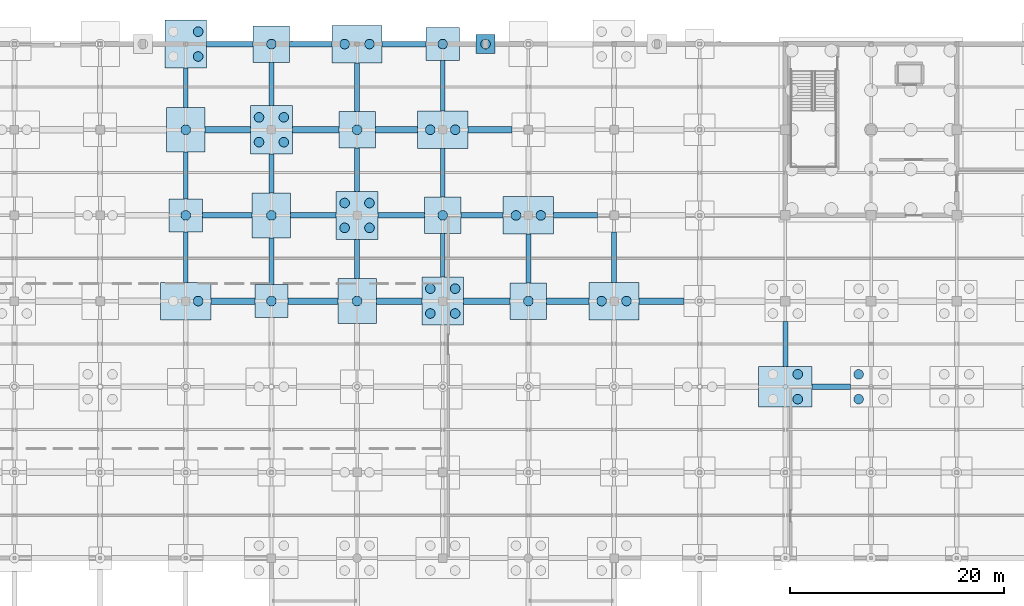
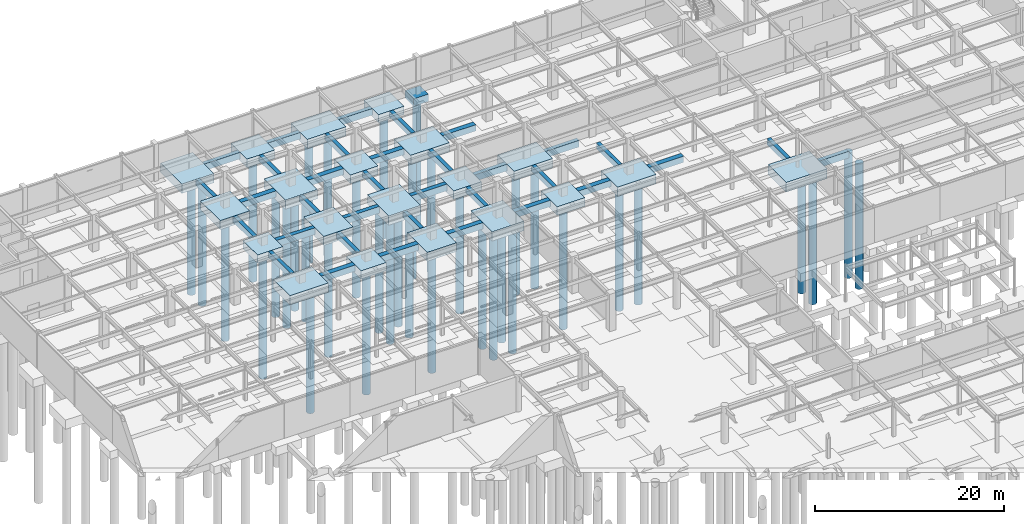
# One storey, part 8 of 105: 55 footings, 38 piles.
"""IFC4 building model written with IfcOpenShell, lengths in metres."""

from ifc_helpers import new_model, si_unit, direction, frame, origin, origin_2d, place, context, subcontext, project, spatial, rectangle, circle, extrude, material, material_profile, profile_set, type_object, element, save


model = new_model("IFC4")

# Units and contexts
model_context = context("Model", 3, precision=1e-05, world=origin(), true_north=direction((0.0, 1.0)))
body_context = subcontext(model_context, "Body", "Model", "MODEL_VIEW")
ifc_project = project(units=[si_unit("LENGTHUNIT", "METRE"), si_unit("AREAUNIT", "SQUARE_METRE"), si_unit("VOLUMEUNIT", "CUBIC_METRE"), si_unit("PLANEANGLEUNIT", "RADIAN"), si_unit("MASSUNIT", "GRAM", prefix="KILO")], contexts=[model_context])

# Site, building, storey
site_placement = place(None, origin())
site = spatial("IfcSite", under=ifc_project, at=site_placement, CompositionType="ELEMENT")
building_placement = place(site_placement, origin())
building = spatial("IfcBuilding", under=site, at=building_placement, Name="Solmirada Galleria", CompositionType="ELEMENT")
storey_placement = place(building_placement, frame((0.0, 0.0, -4.800048828125)))
storey = spatial("IfcBuildingStorey", under=building, at=storey_placement, Name="B1", CompositionType="ELEMENT", Elevation=-4.800048828125)

# Footings
ifc_material_1 = material(Name="Concrete C35/45", Category="concrete")
footing_type_1 = type_object("IfcFootingType", Name="PC-04", PredefinedType="PILE_CAP", material=ifc_material_1)
for number, where, z_axis, x_axis, name in (
    (1, (80.0, 120.0, -1.10009765625), (0.0, 0.0, 1.0), (1.0, 0.0, 0.0), "Pile cap at (80.0, 120.0)"),
    (2, (88.0, 112.0, -1.10009765625), (0.0, 0.0, 1.0), (1.0, 0.0, 0.0), "Pile cap at (88.0, 112.0)"),
    (3, (96.0, 104.0, -1.10009765625), (0.0, 0.0, 1.0), (1.0, 0.0, 0.0), "Pile cap at (96.0, 104.0)"),
    (4, (104.0, 96.0, -1.10009765625), (0.0, 0.0, 1.0), (1.0, 0.0, 0.0), "Pile cap at (104.0, 96.0)"),
):
    element("IfcFooting", number, at=place(storey_placement, frame(where, z_axis=z_axis, x_axis=x_axis)), inside=storey, type_object=footing_type_1, Name=name, PredefinedType="PILE_CAP", context=body_context, shape_type="SweptSolid", body=[
        extrude(rectangle(XDim=3.39990234375, YDim=3.39990234375, at=origin_2d()), origin(), (0.0, 0.0, 1.0), 1.10009765625),
    ])
footing_type_2 = type_object("IfcFootingType", Name="PC-08", PredefinedType="PILE_CAP", material=ifc_material_1)
for number, where, z_axis, x_axis, name in (
    (5, (72.0, 96.0, -1.19970703125), (0.0, 0.0, 1.0), (1.0, 0.0, 0.0), "Pile cap at (72.0, 96.0)"),
    (6, (88.0, 120.0, -1.19970703125), (0.0, 0.0, 1.0), (1.0, 0.0, 0.0), "Pile cap at (88.0, 120.0)"),
    (7, (96.0, 112.0, -1.19970703125), (0.0, 0.0, 1.0), (1.0, 0.0, 0.0), "Pile cap at (96.0, 112.0)"),
    (8, (104.0, 104.0, -1.19970703125), (0.0, 0.0, 1.0), (1.0, 0.0, 0.0), "Pile cap at (104.0, 104.0)"),
    (9, (112.0, 96.0, -1.19970703125), (0.0, 0.0, 1.0), (1.0, 0.0, 0.0), "Pile cap at (112.0, 96.0)"),
):
    element("IfcFooting", number, at=place(storey_placement, frame(where, z_axis=z_axis, x_axis=x_axis)), inside=storey, type_object=footing_type_2, Name=name, PredefinedType="PILE_CAP", context=body_context, shape_type="SweptSolid", body=[
        extrude(rectangle(XDim=4.699951171875, YDim=3.5, at=origin_2d()), origin(), (0.0, 0.0, 1.0), 1.199951171875),
    ])
footing_type_3 = type_object("IfcFootingType", Name="PC-09", PredefinedType="PILE_CAP", material=ifc_material_1)
footing_1_placement = place(storey_placement, frame((128.0, 88.0, -1.25), z_axis=(0.0, 0.0, 1.0), x_axis=(1.0, 0.0, 0.0)))
element("IfcFooting", 10, at=footing_1_placement, inside=storey, type_object=footing_type_3, Name="Pile cap at (128.0, 88.0)", PredefinedType="PILE_CAP", context=body_context, shape_type="SweptSolid", body=[
    extrude(rectangle(XDim=5.0, YDim=3.800048828125, at=origin_2d()), origin(), (0.0, 0.0, 1.0), 1.25),
])
footing_type_4 = type_object("IfcFootingType", Name="PC-17", PredefinedType="PILE_CAP", material=ifc_material_1)
footing_2_placement = place(storey_placement, frame((100.0, 120.0, -0.94970703125), z_axis=(0.0, 0.0, 1.0), x_axis=(1.0, 0.0, 0.0)))
element("IfcFooting", 11, at=footing_2_placement, inside=storey, type_object=footing_type_4, Name="Pilaster pile cap (100, 120)", PredefinedType="PILE_CAP", context=body_context, shape_type="SweptSolid", body=[
    extrude(rectangle(XDim=1.800048828125, YDim=1.800048828125, at=origin_2d()), origin(), (0.0, 0.0, 1.0), 0.949951171875),
])
footing_type_5 = type_object("IfcFootingType", Name="PC-20", PredefinedType="PILE_CAP", material=ifc_material_1)
for number, where, z_axis, x_axis, name in (
    (12, (72.0, 104.0, -1.0498046875), (0.0, 0.0, 1.0), (1.0, 0.0, 0.0), "Pile cap at (72.0, 104.0)"),
    (13, (80.0, 96.0, -1.0498046875), (0.0, 0.0, 1.0), (1.0, 0.0, 0.0), "Pile cap at (80.0, 96.0)"),
    (14, (96.0, 120.0, -1.0498046875), (0.0, 0.0, 1.0), (1.0, 0.0, 0.0), "Pile cap at (96.0, 120.0)"),
):
    element("IfcFooting", number, at=place(storey_placement, frame(where, z_axis=z_axis, x_axis=x_axis)), inside=storey, type_object=footing_type_5, Name=name, PredefinedType="PILE_CAP", context=body_context, shape_type="SweptSolid", body=[
        extrude(rectangle(XDim=3.10009765625, YDim=3.10009765625, at=origin_2d()), origin(), (0.0, 0.0, 1.0), 1.050048828125),
    ])
footing_type_6 = type_object("IfcFootingType", Name="PC-25", PredefinedType="PILE_CAP", material=ifc_material_1)
for number, where, z_axis, x_axis, name in (
    (15, (72.0, 112.0, -1.14990234375), (0.0, 0.0, 1.0), (1.0, 0.0, 0.0), "Pile cap at (72.0, 112.0)"),
    (16, (80.0, 104.0, -1.14990234375), (0.0, 0.0, 1.0), (1.0, 0.0, 0.0), "Pile cap at (80.0, 104.0)"),
    (17, (88.0, 96.0, -1.14990234375), (0.0, 0.0, 1.0), (1.0, 0.0, 0.0), "Pile cap at (88.0, 96.0)"),
):
    element("IfcFooting", number, at=place(storey_placement, frame(where, z_axis=z_axis, x_axis=x_axis)), inside=storey, type_object=footing_type_6, Name=name, PredefinedType="PILE_CAP", context=body_context, shape_type="SweptSolid", body=[
        extrude(rectangle(XDim=3.60009765625, YDim=4.199951171875, at=origin_2d()), origin(), (0.0, 0.0, 1.0), 1.14990234375),
    ])
footing_type_7 = type_object("IfcFootingType", Name="PC-26", PredefinedType="PILE_CAP", material=ifc_material_1)
for number, where, z_axis, x_axis, name in (
    (18, (72.0, 120.0, -1.19970703125), (0.0, 0.0, 1.0), (1.0, 0.0, 0.0), "Pile cap at (72.0, 120.0)"),
    (19, (80.0, 112.0, -1.19970703125), (0.0, 0.0, 1.0), (1.0, 0.0, 0.0), "Pile cap at (80.0, 112.0)"),
    (20, (88.0, 104.0, -1.19970703125), (0.0, 0.0, 1.0), (1.0, 0.0, 0.0), "Pile cap at (88.0, 104.0)"),
    (21, (96.0, 96.0, -1.19970703125), (0.0, 0.0, 1.0), (1.0, 0.0, 0.0), "Pile cap at (96.0, 96.0)"),
):
    element("IfcFooting", number, at=place(storey_placement, frame(where, z_axis=z_axis, x_axis=x_axis)), inside=storey, type_object=footing_type_7, Name=name, PredefinedType="PILE_CAP", context=body_context, shape_type="SweptSolid", body=[
        extrude(rectangle(XDim=3.89990234375, YDim=4.5, at=origin_2d()), origin(), (0.0, 0.0, 1.0), 1.199951171875),
    ])

# Piles
ifc_material_2 = material(Name="Concrete C40/50", Category="concrete")
ifc_material_profile_1 = material_profile(ifc_material_2, circle(Radius=0.449951171875, at=origin_2d()), Name="PILE900")
ifc_profile_set_1 = profile_set([ifc_material_profile_1], Name="Concrete C40/50")
pile_type = type_object("IfcPileType", Name="PILE-900", PredefinedType="BORED", material=ifc_profile_set_1)
pile_1_placement = place(storey_placement, frame((100.0, 120.0, -0.849853515625), z_axis=(0.0, 0.0, -1.0), x_axis=(1.0, 0.0, 0.0)))
element("IfcPile", 22, at=pile_1_placement, inside=storey, type_object=pile_type, Name="Pilaster bored pile (100, 120)", PredefinedType="BORED", context=body_context, shape_type="SweptSolid", body=[
    extrude(circle(Radius=0.449951171875, at=origin_2d()), origin(), (0.0, 0.0, 1.0), 16.35009765625),
])
pile_2_placement = place(storey_placement, frame((73.159912109375, 96.0, -1.099853515625), z_axis=(0.0, 0.0, -1.0), x_axis=(1.0, 0.0, 0.0)))
element("IfcPile", 23, at=pile_2_placement, inside=storey, type_object=pile_type, Name="Bored pile at (73.16, 96.00)", PredefinedType="BORED", context=body_context, shape_type="SweptSolid", body=[
    extrude(circle(Radius=0.449951171875, at=origin_2d()), origin(), (0.0, 0.0, 1.0), 16.10009765625),
])
pile_3_placement = place(storey_placement, frame((72.0, 104.0, -0.949951171875), z_axis=(0.0, 0.0, -1.0), x_axis=(1.0, 0.0, 0.0)))
element("IfcPile", 24, at=pile_3_placement, inside=storey, type_object=pile_type, Name="Bored pile at (72.00, 104.00)", PredefinedType="BORED", context=body_context, shape_type="SweptSolid", body=[
    extrude(circle(Radius=0.449951171875, at=origin_2d()), origin(), (0.0, 0.0, 1.0), 16.25),
])
pile_4_placement = place(storey_placement, frame((72.0, 112.0, -1.050048828125), z_axis=(0.0, 0.0, -1.0), x_axis=(1.0, 0.0, 0.0)))
element("IfcPile", 25, at=pile_4_placement, inside=storey, type_object=pile_type, Name="Bored pile at (72.00, 112.00)", PredefinedType="BORED", context=body_context, shape_type="SweptSolid", body=[
    extrude(circle(Radius=0.449951171875, at=origin_2d()), origin(), (0.0, 0.0, 1.0), 16.14990234375),
])
for number, where, z_axis, x_axis, name in (
    (26, (73.159912109375, 118.840087890625, -1.099853515625), (0.0, 0.0, -1.0), (1.0, 0.0, 0.0), "Bored pile at (73.16, 118.84)"),
    (27, (73.159912109375, 121.159912109375, -1.099853515625), (0.0, 0.0, -1.0), (1.0, 0.0, 0.0), "Bored pile at (73.16, 121.16)"),
):
    element("IfcPile", number, at=place(storey_placement, frame(where, z_axis=z_axis, x_axis=x_axis)), inside=storey, type_object=pile_type, Name=name, PredefinedType="BORED", context=body_context, shape_type="SweptSolid", body=[
        extrude(circle(Radius=0.449951171875, at=origin_2d()), origin(), (0.0, 0.0, 1.0), 16.10009765625),
    ])
pile_5_placement = place(storey_placement, frame((80.0, 96.0, -0.949951171875), z_axis=(0.0, 0.0, -1.0), x_axis=(1.0, 0.0, 0.0)))
element("IfcPile", 28, at=pile_5_placement, inside=storey, type_object=pile_type, Name="Bored pile at (80.00, 96.00)", PredefinedType="BORED", context=body_context, shape_type="SweptSolid", body=[
    extrude(circle(Radius=0.449951171875, at=origin_2d()), origin(), (0.0, 0.0, 1.0), 16.25),
])
pile_6_placement = place(storey_placement, frame((80.0, 104.0, -1.050048828125), z_axis=(0.0, 0.0, -1.0), x_axis=(1.0, 0.0, 0.0)))
element("IfcPile", 29, at=pile_6_placement, inside=storey, type_object=pile_type, Name="Bored pile at (80.00, 104.00)", PredefinedType="BORED", context=body_context, shape_type="SweptSolid", body=[
    extrude(circle(Radius=0.449951171875, at=origin_2d()), origin(), (0.0, 0.0, 1.0), 16.14990234375),
])
for number, where, z_axis, x_axis, name in (
    (30, (78.840087890625, 110.840087890625, -1.099853515625), (0.0, 0.0, -1.0), (1.0, 0.0, 0.0), "Bored pile at (78.84, 110.84)"),
    (31, (81.159912109375, 110.840087890625, -1.099853515625), (0.0, 0.0, -1.0), (1.0, 0.0, 0.0), "Bored pile at (81.16, 110.84)"),
    (32, (78.840087890625, 113.159912109375, -1.099853515625), (0.0, 0.0, -1.0), (1.0, 0.0, 0.0), "Bored pile at (78.84, 113.16)"),
    (33, (81.159912109375, 113.159912109375, -1.099853515625), (0.0, 0.0, -1.0), (1.0, 0.0, 0.0), "Bored pile at (81.16, 113.16)"),
):
    element("IfcPile", number, at=place(storey_placement, frame(where, z_axis=z_axis, x_axis=x_axis)), inside=storey, type_object=pile_type, Name=name, PredefinedType="BORED", context=body_context, shape_type="SweptSolid", body=[
        extrude(circle(Radius=0.449951171875, at=origin_2d()), origin(), (0.0, 0.0, 1.0), 16.10009765625),
    ])
pile_7_placement = place(storey_placement, frame((80.0, 120.0, -1.0), z_axis=(0.0, 0.0, -1.0), x_axis=(1.0, 0.0, 0.0)))
element("IfcPile", 34, at=pile_7_placement, inside=storey, type_object=pile_type, Name="Bored pile at (80.00, 120.00)", PredefinedType="BORED", context=body_context, shape_type="SweptSolid", body=[
    extrude(circle(Radius=0.449951171875, at=origin_2d()), origin(), (0.0, 0.0, 1.0), 16.199951171875),
])
pile_8_placement = place(storey_placement, frame((88.0, 96.0, -1.050048828125), z_axis=(0.0, 0.0, -1.0), x_axis=(1.0, 0.0, 0.0)))
element("IfcPile", 35, at=pile_8_placement, inside=storey, type_object=pile_type, Name="Bored pile at (88.00, 96.00)", PredefinedType="BORED", context=body_context, shape_type="SweptSolid", body=[
    extrude(circle(Radius=0.449951171875, at=origin_2d()), origin(), (0.0, 0.0, 1.0), 16.14990234375),
])
for number, where, z_axis, x_axis, name in (
    (36, (86.840087890625, 102.840087890625, -1.099853515625), (0.0, 0.0, -1.0), (1.0, 0.0, 0.0), "Bored pile at (86.84, 102.84)"),
    (37, (89.159912109375, 102.840087890625, -1.099853515625), (0.0, 0.0, -1.0), (1.0, 0.0, 0.0), "Bored pile at (89.16, 102.84)"),
    (38, (86.840087890625, 105.159912109375, -1.099853515625), (0.0, 0.0, -1.0), (1.0, 0.0, 0.0), "Bored pile at (86.84, 105.16)"),
    (39, (89.159912109375, 105.159912109375, -1.099853515625), (0.0, 0.0, -1.0), (1.0, 0.0, 0.0), "Bored pile at (89.16, 105.16)"),
):
    element("IfcPile", number, at=place(storey_placement, frame(where, z_axis=z_axis, x_axis=x_axis)), inside=storey, type_object=pile_type, Name=name, PredefinedType="BORED", context=body_context, shape_type="SweptSolid", body=[
        extrude(circle(Radius=0.449951171875, at=origin_2d()), origin(), (0.0, 0.0, 1.0), 16.10009765625),
    ])
pile_9_placement = place(storey_placement, frame((88.0, 112.0, -1.0), z_axis=(0.0, 0.0, -1.0), x_axis=(1.0, 0.0, 0.0)))
element("IfcPile", 40, at=pile_9_placement, inside=storey, type_object=pile_type, Name="Bored pile at (88.00, 112.00)", PredefinedType="BORED", context=body_context, shape_type="SweptSolid", body=[
    extrude(circle(Radius=0.449951171875, at=origin_2d()), origin(), (0.0, 0.0, 1.0), 16.199951171875),
])
for number, where, z_axis, x_axis, name in (
    (41, (86.840087890625, 120.0, -1.099853515625), (0.0, 0.0, -1.0), (1.0, 0.0, 0.0), "Bored pile at (86.84, 120.00)"),
    (42, (89.159912109375, 120.0, -1.099853515625), (0.0, 0.0, -1.0), (1.0, 0.0, 0.0), "Bored pile at (89.16, 120.00)"),
    (43, (94.840087890625, 94.840087890625, -1.099853515625), (0.0, 0.0, -1.0), (1.0, 0.0, 0.0), "Bored pile at (94.84, 94.84)"),
    (44, (97.159912109375, 94.840087890625, -1.099853515625), (0.0, 0.0, -1.0), (1.0, 0.0, 0.0), "Bored pile at (97.16, 94.84)"),
    (45, (94.840087890625, 97.159912109375, -1.099853515625), (0.0, 0.0, -1.0), (1.0, 0.0, 0.0), "Bored pile at (94.84, 97.16)"),
    (46, (97.159912109375, 97.159912109375, -1.099853515625), (0.0, 0.0, -1.0), (1.0, 0.0, 0.0), "Bored pile at (97.16, 97.16)"),
):
    element("IfcPile", number, at=place(storey_placement, frame(where, z_axis=z_axis, x_axis=x_axis)), inside=storey, type_object=pile_type, Name=name, PredefinedType="BORED", context=body_context, shape_type="SweptSolid", body=[
        extrude(circle(Radius=0.449951171875, at=origin_2d()), origin(), (0.0, 0.0, 1.0), 16.10009765625),
    ])
pile_10_placement = place(storey_placement, frame((96.0, 104.0, -1.0), z_axis=(0.0, 0.0, -1.0), x_axis=(1.0, 0.0, 0.0)))
element("IfcPile", 47, at=pile_10_placement, inside=storey, type_object=pile_type, Name="Bored pile at (96.00, 104.00)", PredefinedType="BORED", context=body_context, shape_type="SweptSolid", body=[
    extrude(circle(Radius=0.449951171875, at=origin_2d()), origin(), (0.0, 0.0, 1.0), 16.199951171875),
])
for number, where, z_axis, x_axis, name in (
    (48, (94.840087890625, 112.0, -1.099853515625), (0.0, 0.0, -1.0), (1.0, 0.0, 0.0), "Bored pile at (94.84, 112.00)"),
    (49, (97.159912109375, 112.0, -1.099853515625), (0.0, 0.0, -1.0), (1.0, 0.0, 0.0), "Bored pile at (97.16, 112.00)"),
):
    element("IfcPile", number, at=place(storey_placement, frame(where, z_axis=z_axis, x_axis=x_axis)), inside=storey, type_object=pile_type, Name=name, PredefinedType="BORED", context=body_context, shape_type="SweptSolid", body=[
        extrude(circle(Radius=0.449951171875, at=origin_2d()), origin(), (0.0, 0.0, 1.0), 16.10009765625),
    ])
pile_11_placement = place(storey_placement, frame((96.0, 120.0, -0.949951171875), z_axis=(0.0, 0.0, -1.0), x_axis=(1.0, 0.0, 0.0)))
element("IfcPile", 50, at=pile_11_placement, inside=storey, type_object=pile_type, Name="Bored pile at (96.00, 120.00)", PredefinedType="BORED", context=body_context, shape_type="SweptSolid", body=[
    extrude(circle(Radius=0.449951171875, at=origin_2d()), origin(), (0.0, 0.0, 1.0), 16.25),
])
pile_12_placement = place(storey_placement, frame((104.0, 96.0, -1.0), z_axis=(0.0, 0.0, -1.0), x_axis=(1.0, 0.0, 0.0)))
element("IfcPile", 51, at=pile_12_placement, inside=storey, type_object=pile_type, Name="Bored pile at (104.00, 96.00)", PredefinedType="BORED", context=body_context, shape_type="SweptSolid", body=[
    extrude(circle(Radius=0.449951171875, at=origin_2d()), origin(), (0.0, 0.0, 1.0), 16.199951171875),
])
for number, where, z_axis, x_axis, name in (
    (52, (102.840087890625, 104.0, -1.099853515625), (0.0, 0.0, -1.0), (1.0, 0.0, 0.0), "Bored pile at (102.84, 104.00)"),
    (53, (105.159912109375, 104.0, -1.099853515625), (0.0, 0.0, -1.0), (1.0, 0.0, 0.0), "Bored pile at (105.16, 104.00)"),
    (54, (110.840087890625, 96.0, -1.099853515625), (0.0, 0.0, -1.0), (1.0, 0.0, 0.0), "Bored pile at (110.84, 96.00)"),
    (55, (113.159912109375, 96.0, -1.099853515625), (0.0, 0.0, -1.0), (1.0, 0.0, 0.0), "Bored pile at (113.16, 96.00)"),
):
    element("IfcPile", number, at=place(storey_placement, frame(where, z_axis=z_axis, x_axis=x_axis)), inside=storey, type_object=pile_type, Name=name, PredefinedType="BORED", context=body_context, shape_type="SweptSolid", body=[
        extrude(circle(Radius=0.449951171875, at=origin_2d()), origin(), (0.0, 0.0, 1.0), 16.10009765625),
    ])
for number, where, z_axis, x_axis, name in (
    (56, (129.159912109375, 86.840087890625, -1.14990234375), (0.0, 0.0, -1.0), (1.0, 0.0, 0.0), "Bored pile at (129.16, 86.84)"),
    (57, (129.159912109375, 89.159912109375, -1.14990234375), (0.0, 0.0, -1.0), (1.0, 0.0, 0.0), "Bored pile at (129.16, 89.16)"),
):
    element("IfcPile", number, at=place(storey_placement, frame(where, z_axis=z_axis, x_axis=x_axis)), inside=storey, type_object=pile_type, Name=name, PredefinedType="BORED", context=body_context, shape_type="SweptSolid", body=[
        extrude(circle(Radius=0.449951171875, at=origin_2d()), origin(), (0.0, 0.0, 1.0), 16.050048828125),
    ])
for number, where, z_axis, x_axis, name in (
    (58, (134.840087890625, 86.840087890625, -1.050048828125), (0.0, 0.0, -1.0), (1.0, 0.0, 0.0), "Bored pile at (134.84, 86.84)"),
    (59, (134.840087890625, 89.159912109375, -1.050048828125), (0.0, 0.0, -1.0), (1.0, 0.0, 0.0), "Bored pile at (134.84, 89.16)"),
):
    element("IfcPile", number, at=place(storey_placement, frame(where, z_axis=z_axis, x_axis=x_axis)), inside=storey, type_object=pile_type, Name=name, PredefinedType="BORED", context=body_context, shape_type="SweptSolid", body=[
        extrude(circle(Radius=0.449951171875, at=origin_2d()), origin(), (0.0, 0.0, 1.0), 16.14990234375),
    ])

# Footings
ifc_material_profile_2 = material_profile(ifc_material_1, rectangle(XDim=0.449951171875, YDim=0.75, at=origin_2d()), Name="RC750X450")
ifc_profile_set_2 = profile_set([ifc_material_profile_2], Name="Concrete C35/45")
footing_type_8 = type_object("IfcFootingType", Name="TB-750X450", PredefinedType="FOOTING_BEAM", material=ifc_profile_set_2)
footing_3_placement = place(storey_placement, frame((72.0, 97.75, -0.375), z_axis=(0.0, 1.0, 0.0), x_axis=(-1.0, 0.0, 0.0)))
element("IfcFooting", 60, at=footing_3_placement, inside=storey, type_object=footing_type_8, Name="Foundation tie beam Y (72, 96..104)", PredefinedType="FOOTING_BEAM", context=body_context, shape_type="SweptSolid", body=[
    extrude(rectangle(XDim=0.449951171875, YDim=0.75, at=origin_2d()), origin(), (0.0, 0.0, 1.0), 4.699951171875),
])
footing_4_placement = place(storey_placement, frame((72.0, 105.550048828125, -0.375), z_axis=(0.0, 1.0, 0.0), x_axis=(-1.0, 0.0, 0.0)))
element("IfcFooting", 61, at=footing_4_placement, inside=storey, type_object=footing_type_8, Name="Foundation tie beam Y (72, 104..112)", PredefinedType="FOOTING_BEAM", context=body_context, shape_type="SweptSolid", body=[
    extrude(rectangle(XDim=0.449951171875, YDim=0.75, at=origin_2d()), origin(), (0.0, 0.0, 1.0), 4.349853515625),
])
footing_5_placement = place(storey_placement, frame((72.0, 114.10009765625, -0.375), z_axis=(0.0, 1.0, 0.0), x_axis=(-1.0, 0.0, 0.0)))
element("IfcFooting", 62, at=footing_5_placement, inside=storey, type_object=footing_type_8, Name="Foundation tie beam Y (72, 112..120)", PredefinedType="FOOTING_BEAM", context=body_context, shape_type="SweptSolid", body=[
    extrude(rectangle(XDim=0.449951171875, YDim=0.75, at=origin_2d()), origin(), (0.0, 0.0, 1.0), 3.64990234375),
])
footing_6_placement = place(storey_placement, frame((80.0, 97.550048828125, -0.375), z_axis=(0.0, 1.0, 0.0), x_axis=(-1.0, 0.0, 0.0)))
element("IfcFooting", 63, at=footing_6_placement, inside=storey, type_object=footing_type_8, Name="Foundation tie beam Y (80, 96..104)", PredefinedType="FOOTING_BEAM", context=body_context, shape_type="SweptSolid", body=[
    extrude(rectangle(XDim=0.449951171875, YDim=0.75, at=origin_2d()), origin(), (0.0, 0.0, 1.0), 4.349853515625),
])
footing_7_placement = place(storey_placement, frame((80.0, 106.10009765625, -0.375), z_axis=(0.0, 1.0, 0.0), x_axis=(-1.0, 0.0, 0.0)))
element("IfcFooting", 64, at=footing_7_placement, inside=storey, type_object=footing_type_8, Name="Foundation tie beam Y (80, 104..112)", PredefinedType="FOOTING_BEAM", context=body_context, shape_type="SweptSolid", body=[
    extrude(rectangle(XDim=0.449951171875, YDim=0.75, at=origin_2d()), origin(), (0.0, 0.0, 1.0), 3.64990234375),
])
footing_8_placement = place(storey_placement, frame((80.0, 114.25, -0.375), z_axis=(0.0, 1.0, 0.0), x_axis=(-1.0, 0.0, 0.0)))
element("IfcFooting", 65, at=footing_8_placement, inside=storey, type_object=footing_type_8, Name="Foundation tie beam Y (80, 112..120)", PredefinedType="FOOTING_BEAM", context=body_context, shape_type="SweptSolid", body=[
    extrude(rectangle(XDim=0.449951171875, YDim=0.75, at=origin_2d()), origin(), (0.0, 0.0, 1.0), 4.050048828125),
])
footing_9_placement = place(storey_placement, frame((88.0, 98.10009765625, -0.375), z_axis=(0.0, 1.0, 0.0), x_axis=(-1.0, 0.0, 0.0)))
element("IfcFooting", 66, at=footing_9_placement, inside=storey, type_object=footing_type_8, Name="Foundation tie beam Y (88, 96..104)", PredefinedType="FOOTING_BEAM", context=body_context, shape_type="SweptSolid", body=[
    extrude(rectangle(XDim=0.449951171875, YDim=0.75, at=origin_2d()), origin(), (0.0, 0.0, 1.0), 3.64990234375),
])
footing_10_placement = place(storey_placement, frame((88.0, 106.25, -0.375), z_axis=(0.0, 1.0, 0.0), x_axis=(-1.0, 0.0, 0.0)))
element("IfcFooting", 67, at=footing_10_placement, inside=storey, type_object=footing_type_8, Name="Foundation tie beam Y (88, 104..112)", PredefinedType="FOOTING_BEAM", context=body_context, shape_type="SweptSolid", body=[
    extrude(rectangle(XDim=0.449951171875, YDim=0.75, at=origin_2d()), origin(), (0.0, 0.0, 1.0), 4.050048828125),
])
footing_11_placement = place(storey_placement, frame((88.0, 113.699951171875, -0.375), z_axis=(0.0, 1.0, 0.0), x_axis=(-1.0, 0.0, 0.0)))
element("IfcFooting", 68, at=footing_11_placement, inside=storey, type_object=footing_type_8, Name="Foundation tie beam Y (88, 112..120)", PredefinedType="FOOTING_BEAM", context=body_context, shape_type="SweptSolid", body=[
    extrude(rectangle(XDim=0.449951171875, YDim=0.75, at=origin_2d()), origin(), (0.0, 0.0, 1.0), 4.550048828125),
])
footing_12_placement = place(storey_placement, frame((96.0, 98.25, -0.375), z_axis=(0.0, 1.0, 0.0), x_axis=(-1.0, 0.0, 0.0)))
element("IfcFooting", 69, at=footing_12_placement, inside=storey, type_object=footing_type_8, Name="Foundation tie beam Y (96, 96..104)", PredefinedType="FOOTING_BEAM", context=body_context, shape_type="SweptSolid", body=[
    extrude(rectangle(XDim=0.449951171875, YDim=0.75, at=origin_2d()), origin(), (0.0, 0.0, 1.0), 4.050048828125),
])
footing_13_placement = place(storey_placement, frame((96.0, 105.699951171875, -0.375), z_axis=(0.0, 1.0, 0.0), x_axis=(-1.0, 0.0, 0.0)))
element("IfcFooting", 70, at=footing_13_placement, inside=storey, type_object=footing_type_8, Name="Foundation tie beam Y (96, 104..112)", PredefinedType="FOOTING_BEAM", context=body_context, shape_type="SweptSolid", body=[
    extrude(rectangle(XDim=0.449951171875, YDim=0.75, at=origin_2d()), origin(), (0.0, 0.0, 1.0), 4.550048828125),
])
footing_14_placement = place(storey_placement, frame((96.0, 113.75, -0.375), z_axis=(0.0, 1.0, 0.0), x_axis=(-1.0, 0.0, 0.0)))
element("IfcFooting", 71, at=footing_14_placement, inside=storey, type_object=footing_type_8, Name="Foundation tie beam Y (96, 112..120)", PredefinedType="FOOTING_BEAM", context=body_context, shape_type="SweptSolid", body=[
    extrude(rectangle(XDim=0.449951171875, YDim=0.75, at=origin_2d()), origin(), (0.0, 0.0, 1.0), 4.699951171875),
])
footing_15_placement = place(storey_placement, frame((104.0, 97.699951171875, -0.375), z_axis=(0.0, 1.0, 0.0), x_axis=(-1.0, 0.0, 0.0)))
element("IfcFooting", 72, at=footing_15_placement, inside=storey, type_object=footing_type_8, Name="Foundation tie beam Y (104, 96..104)", PredefinedType="FOOTING_BEAM", context=body_context, shape_type="SweptSolid", body=[
    extrude(rectangle(XDim=0.449951171875, YDim=0.75, at=origin_2d()), origin(), (0.0, 0.0, 1.0), 4.550048828125),
])
footing_16_placement = place(storey_placement, frame((112.0, 97.75, -0.375), z_axis=(0.0, 1.0, 0.0), x_axis=(-1.0, 0.0, 0.0)))
element("IfcFooting", 73, at=footing_16_placement, inside=storey, type_object=footing_type_8, Name="Foundation tie beam Y (112, 96..104)", PredefinedType="FOOTING_BEAM", context=body_context, shape_type="SweptSolid", body=[
    extrude(rectangle(XDim=0.449951171875, YDim=0.75, at=origin_2d()), origin(), (0.0, 0.0, 1.0), 4.699951171875),
])
footing_17_placement = place(storey_placement, frame((128.0, 89.89990234375, -0.375), z_axis=(0.0, 1.0, 0.0), x_axis=(-1.0, 0.0, 0.0)))
element("IfcFooting", 74, at=footing_17_placement, inside=storey, type_object=footing_type_8, Name="Foundation tie beam Y (128, 88..96)", PredefinedType="FOOTING_BEAM", context=body_context, shape_type="SweptSolid", body=[
    extrude(rectangle(XDim=0.449951171875, YDim=0.75, at=origin_2d()), origin(), (0.0, 0.0, 1.0), 4.2001953125),
])
ifc_material_profile_3 = material_profile(ifc_material_1, rectangle(XDim=0.60009765625, YDim=0.800048828125, at=origin_2d()), Name="RC800X600")
ifc_profile_set_3 = profile_set([ifc_material_profile_3], Name="Concrete C35/45")
footing_type_9 = type_object("IfcFootingType", Name="TB-800X600", PredefinedType="FOOTING_BEAM", material=ifc_profile_set_3)
footing_18_placement = place(storey_placement, frame((74.35009765625, 96.0, -0.39990234375), z_axis=(1.0, 0.0, 0.0), x_axis=(0.0, 1.0, 0.0)))
element("IfcFooting", 75, at=footing_18_placement, inside=storey, type_object=footing_type_9, Name="Foundation tie beam X (72..80, 96)", PredefinedType="FOOTING_BEAM", context=body_context, shape_type="SweptSolid", body=[
    extrude(rectangle(XDim=0.60009765625, YDim=0.800048828125, at=origin_2d()), origin(), (0.0, 0.0, 1.0), 4.099853515625),
])
footing_19_placement = place(storey_placement, frame((73.800048828125, 112.0, -0.39990234375), z_axis=(1.0, 0.0, 0.0), x_axis=(0.0, 1.0, 0.0)))
element("IfcFooting", 76, at=footing_19_placement, inside=storey, type_object=footing_type_9, Name="Foundation tie beam X (72..80, 112)", PredefinedType="FOOTING_BEAM", context=body_context, shape_type="SweptSolid", body=[
    extrude(rectangle(XDim=0.60009765625, YDim=0.800048828125, at=origin_2d()), origin(), (0.0, 0.0, 1.0), 4.25),
])
footing_20_placement = place(storey_placement, frame((81.550048828125, 96.0, -0.39990234375), z_axis=(1.0, 0.0, 0.0), x_axis=(0.0, 1.0, 0.0)))
element("IfcFooting", 77, at=footing_20_placement, inside=storey, type_object=footing_type_9, Name="Foundation tie beam X (80..88, 96)", PredefinedType="FOOTING_BEAM", context=body_context, shape_type="SweptSolid", body=[
    extrude(rectangle(XDim=0.60009765625, YDim=0.800048828125, at=origin_2d()), origin(), (0.0, 0.0, 1.0), 4.64990234375),
])
footing_21_placement = place(storey_placement, frame((81.949951171875, 112.0, -0.39990234375), z_axis=(1.0, 0.0, 0.0), x_axis=(0.0, 1.0, 0.0)))
element("IfcFooting", 78, at=footing_21_placement, inside=storey, type_object=footing_type_9, Name="Foundation tie beam X (80..88, 112)", PredefinedType="FOOTING_BEAM", context=body_context, shape_type="SweptSolid", body=[
    extrude(rectangle(XDim=0.60009765625, YDim=0.800048828125, at=origin_2d()), origin(), (0.0, 0.0, 1.0), 4.35009765625),
])
footing_22_placement = place(storey_placement, frame((89.800048828125, 96.0, -0.39990234375), z_axis=(1.0, 0.0, 0.0), x_axis=(0.0, 1.0, 0.0)))
element("IfcFooting", 79, at=footing_22_placement, inside=storey, type_object=footing_type_9, Name="Foundation tie beam X (88..96, 96)", PredefinedType="FOOTING_BEAM", context=body_context, shape_type="SweptSolid", body=[
    extrude(rectangle(XDim=0.60009765625, YDim=0.800048828125, at=origin_2d()), origin(), (0.0, 0.0, 1.0), 4.25),
])
footing_23_placement = place(storey_placement, frame((89.699951171875, 112.0, -0.39990234375), z_axis=(1.0, 0.0, 0.0), x_axis=(0.0, 1.0, 0.0)))
element("IfcFooting", 80, at=footing_23_placement, inside=storey, type_object=footing_type_9, Name="Foundation tie beam X (88..96, 112)", PredefinedType="FOOTING_BEAM", context=body_context, shape_type="SweptSolid", body=[
    extrude(rectangle(XDim=0.60009765625, YDim=0.800048828125, at=origin_2d()), origin(), (0.0, 0.0, 1.0), 3.949951171875),
])
footing_24_placement = place(storey_placement, frame((97.949951171875, 96.0, -0.39990234375), z_axis=(1.0, 0.0, 0.0), x_axis=(0.0, 1.0, 0.0)))
element("IfcFooting", 81, at=footing_24_placement, inside=storey, type_object=footing_type_9, Name="Foundation tie beam X (96..104, 96)", PredefinedType="FOOTING_BEAM", context=body_context, shape_type="SweptSolid", body=[
    extrude(rectangle(XDim=0.60009765625, YDim=0.800048828125, at=origin_2d()), origin(), (0.0, 0.0, 1.0), 4.35009765625),
])
footing_25_placement = place(storey_placement, frame((98.35009765625, 112.0, -0.39990234375), z_axis=(1.0, 0.0, 0.0), x_axis=(0.0, 1.0, 0.0)))
element("IfcFooting", 82, at=footing_25_placement, inside=storey, type_object=footing_type_9, Name="Foundation tie beam X (96..104, 112)", PredefinedType="FOOTING_BEAM", context=body_context, shape_type="SweptSolid", body=[
    extrude(rectangle(XDim=0.60009765625, YDim=0.800048828125, at=origin_2d()), origin(), (0.0, 0.0, 1.0), 4.099853515625),
])
footing_26_placement = place(storey_placement, frame((105.699951171875, 96.0, -0.39990234375), z_axis=(1.0, 0.0, 0.0), x_axis=(0.0, 1.0, 0.0)))
element("IfcFooting", 83, at=footing_26_placement, inside=storey, type_object=footing_type_9, Name="Foundation tie beam X (104..112, 96)", PredefinedType="FOOTING_BEAM", context=body_context, shape_type="SweptSolid", body=[
    extrude(rectangle(XDim=0.60009765625, YDim=0.800048828125, at=origin_2d()), origin(), (0.0, 0.0, 1.0), 3.949951171875),
])
footing_27_placement = place(storey_placement, frame((114.35009765625, 96.0, -0.39990234375), z_axis=(1.0, 0.0, 0.0), x_axis=(0.0, 1.0, 0.0)))
element("IfcFooting", 84, at=footing_27_placement, inside=storey, type_object=footing_type_9, Name="Foundation tie beam X (112..120, 96)", PredefinedType="FOOTING_BEAM", context=body_context, shape_type="SweptSolid", body=[
    extrude(rectangle(XDim=0.60009765625, YDim=0.800048828125, at=origin_2d()), origin(), (0.0, 0.0, 1.0), 4.199951171875),
])
ifc_material_profile_4 = material_profile(ifc_material_1, rectangle(XDim=0.5, YDim=0.85009765625, at=origin_2d()), Name="RC850X500")
ifc_profile_set_4 = profile_set([ifc_material_profile_4], Name="Concrete C35/45")
footing_type_10 = type_object("IfcFootingType", Name="TB-850X500", PredefinedType="FOOTING_BEAM", material=ifc_profile_set_4)
footing_28_placement = place(storey_placement, frame((73.550048828125, 104.0, -0.425048828125), z_axis=(1.0, 0.0, 0.0), x_axis=(0.0, 1.0, 0.0)))
element("IfcFooting", 85, at=footing_28_placement, inside=storey, type_object=footing_type_10, Name="Foundation tie beam X (72..80, 104)", PredefinedType="FOOTING_BEAM", context=body_context, shape_type="SweptSolid", body=[
    extrude(rectangle(XDim=0.5, YDim=0.85009765625, at=origin_2d()), origin(), (0.0, 0.0, 1.0), 4.64990234375),
])
footing_29_placement = place(storey_placement, frame((73.949951171875, 120.0, -0.425048828125), z_axis=(1.0, 0.0, 0.0), x_axis=(0.0, 1.0, 0.0)))
element("IfcFooting", 86, at=footing_29_placement, inside=storey, type_object=footing_type_10, Name="Foundation tie beam X (72..80, 120)", PredefinedType="FOOTING_BEAM", context=body_context, shape_type="SweptSolid", body=[
    extrude(rectangle(XDim=0.5, YDim=0.85009765625, at=origin_2d()), origin(), (0.0, 0.0, 1.0), 4.35009765625),
])
footing_30_placement = place(storey_placement, frame((81.800048828125, 104.0, -0.425048828125), z_axis=(1.0, 0.0, 0.0), x_axis=(0.0, 1.0, 0.0)))
element("IfcFooting", 87, at=footing_30_placement, inside=storey, type_object=footing_type_10, Name="Foundation tie beam X (80..88, 104)", PredefinedType="FOOTING_BEAM", context=body_context, shape_type="SweptSolid", body=[
    extrude(rectangle(XDim=0.5, YDim=0.85009765625, at=origin_2d()), origin(), (0.0, 0.0, 1.0), 4.25),
])
footing_31_placement = place(storey_placement, frame((81.699951171875, 120.0, -0.425048828125), z_axis=(1.0, 0.0, 0.0), x_axis=(0.0, 1.0, 0.0)))
element("IfcFooting", 88, at=footing_31_placement, inside=storey, type_object=footing_type_10, Name="Foundation tie beam X (80..88, 120)", PredefinedType="FOOTING_BEAM", context=body_context, shape_type="SweptSolid", body=[
    extrude(rectangle(XDim=0.5, YDim=0.85009765625, at=origin_2d()), origin(), (0.0, 0.0, 1.0), 3.949951171875),
])
footing_32_placement = place(storey_placement, frame((89.949951171875, 104.0, -0.425048828125), z_axis=(1.0, 0.0, 0.0), x_axis=(0.0, 1.0, 0.0)))
element("IfcFooting", 89, at=footing_32_placement, inside=storey, type_object=footing_type_10, Name="Foundation tie beam X (88..96, 104)", PredefinedType="FOOTING_BEAM", context=body_context, shape_type="SweptSolid", body=[
    extrude(rectangle(XDim=0.5, YDim=0.85009765625, at=origin_2d()), origin(), (0.0, 0.0, 1.0), 4.35009765625),
])
footing_33_placement = place(storey_placement, frame((90.35009765625, 120.0, -0.425048828125), z_axis=(1.0, 0.0, 0.0), x_axis=(0.0, 1.0, 0.0)))
element("IfcFooting", 90, at=footing_33_placement, inside=storey, type_object=footing_type_10, Name="Foundation tie beam X (88..96, 120)", PredefinedType="FOOTING_BEAM", context=body_context, shape_type="SweptSolid", body=[
    extrude(rectangle(XDim=0.5, YDim=0.85009765625, at=origin_2d()), origin(), (0.0, 0.0, 1.0), 4.099853515625),
])
footing_34_placement = place(storey_placement, frame((97.699951171875, 104.0, -0.425048828125), z_axis=(1.0, 0.0, 0.0), x_axis=(0.0, 1.0, 0.0)))
element("IfcFooting", 91, at=footing_34_placement, inside=storey, type_object=footing_type_10, Name="Foundation tie beam X (96..104, 104)", PredefinedType="FOOTING_BEAM", context=body_context, shape_type="SweptSolid", body=[
    extrude(rectangle(XDim=0.5, YDim=0.85009765625, at=origin_2d()), origin(), (0.0, 0.0, 1.0), 3.949951171875),
])
footing_35_placement = place(storey_placement, frame((106.35009765625, 104.0, -0.425048828125), z_axis=(1.0, 0.0, 0.0), x_axis=(0.0, 1.0, 0.0)))
element("IfcFooting", 92, at=footing_35_placement, inside=storey, type_object=footing_type_10, Name="Foundation tie beam X (104..112, 104)", PredefinedType="FOOTING_BEAM", context=body_context, shape_type="SweptSolid", body=[
    extrude(rectangle(XDim=0.5, YDim=0.85009765625, at=origin_2d()), origin(), (0.0, 0.0, 1.0), 4.099853515625),
])
footing_36_placement = place(storey_placement, frame((130.5, 88.0, -0.425048828125), z_axis=(1.0, 0.0, 0.0), x_axis=(0.0, 1.0, 0.0)))
element("IfcFooting", 93, at=footing_36_placement, inside=storey, type_object=footing_type_10, Name="Foundation tie beam X (128..136, 88)", PredefinedType="FOOTING_BEAM", context=body_context, shape_type="SweptSolid", body=[
    extrude(rectangle(XDim=0.5, YDim=0.85009765625, at=origin_2d()), origin(), (0.0, 0.0, 1.0), 3.60009765625),
])

save(model, "model.ifc")
